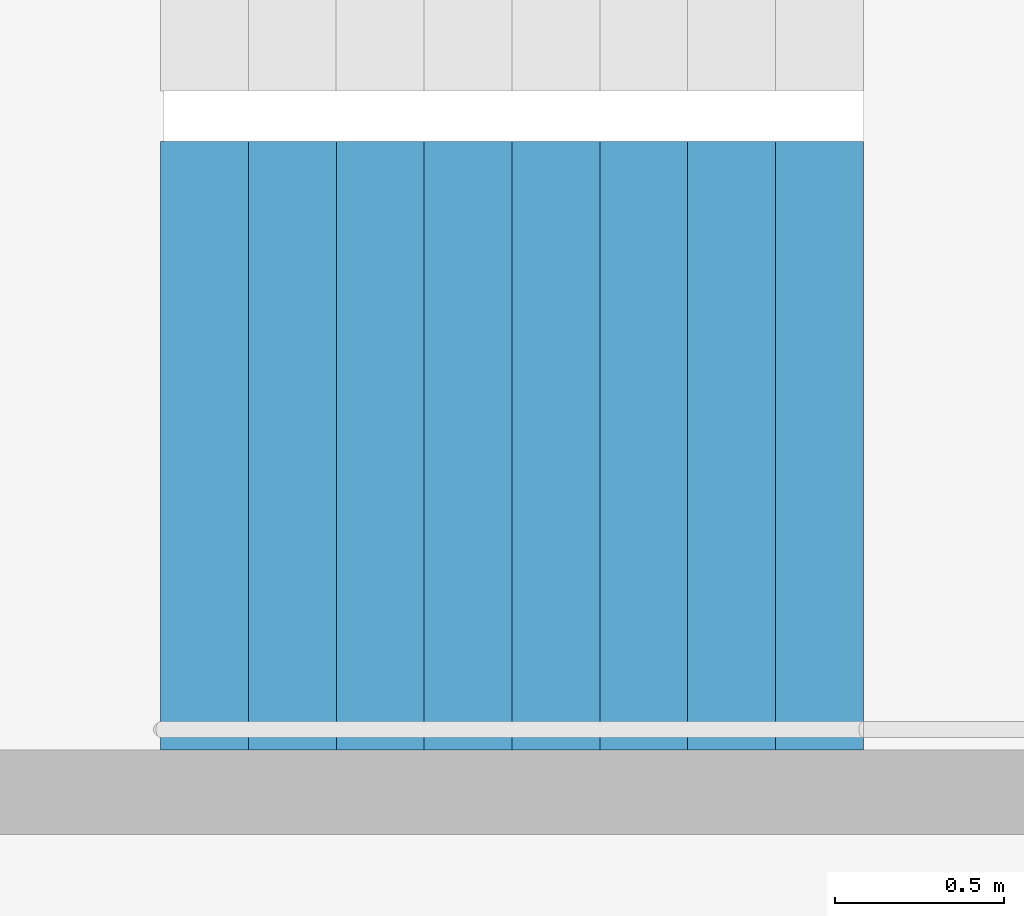
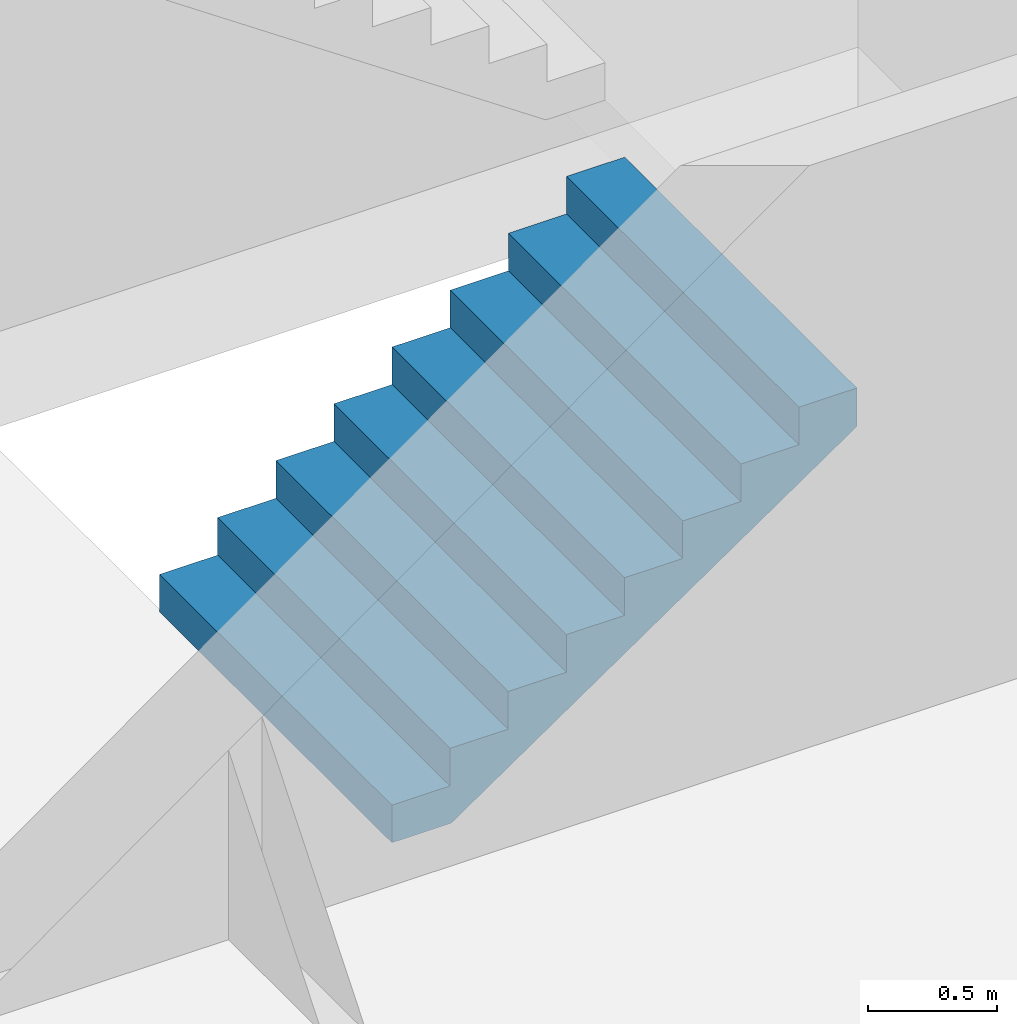
# One storey, part 20 of 26: 1 stair flight, 1 element without a shape of its own.
"""IFC4 building model written with IfcOpenShell, lengths in metres."""

from ifc_helpers import new_model, si_unit, direction, frame, origin, place, context, subcontext, project, spatial, triangles, material, type_object, element, aggregate, save


model = new_model("IFC4")

# Units and contexts
model_context = context("Model", 3, precision=1e-05, world=origin(), true_north=direction((0.0, 1.0)))
body_context = subcontext(model_context, "Body", "Model", "MODEL_VIEW")
ifc_project = project(units=[si_unit("LENGTHUNIT", "METRE"), si_unit("AREAUNIT", "SQUARE_METRE"), si_unit("VOLUMEUNIT", "CUBIC_METRE"), si_unit("PLANEANGLEUNIT", "RADIAN"), si_unit("MASSUNIT", "GRAM", prefix="KILO")], contexts=[model_context])

# Site, building, storey
site_placement = place(None, origin())
site = spatial("IfcSite", under=ifc_project, at=site_placement, CompositionType="ELEMENT")
building_placement = place(site_placement, origin())
building = spatial("IfcBuilding", under=site, at=building_placement, Name="Hakoniwa Tower and Hamabe Station Hall", CompositionType="ELEMENT")
storey_placement = place(building_placement, frame((0.0, 0.0, 209.0)))
storey = spatial("IfcBuildingStorey", under=building, at=storey_placement, Name="L59", CompositionType="ELEMENT", Elevation=209.0)

# Stair, stair flight
ifc_material_1 = material(Name="Concrete C40", Category="concrete")
stair_type = type_object("IfcStairType", Name="ESCAPE STAIR 1800", PredefinedType="HALF_TURN_STAIR", material=ifc_material_1)
stair_placement = place(storey_placement, origin())
stair = element("IfcStair", 1, at=stair_placement, inside=storey, type_object=stair_type, Name="Escape stair ST-1 L59", PredefinedType="HALF_TURN_STAIR")
ifc_material_2 = material(Name="Concrete C40", Category="concrete")
stair_flight_type = type_object("IfcStairFlightType", Name="STAIR FLIGHT 1800", PredefinedType="STRAIGHT", material=ifc_material_2)
stair_flight_placement = place(storey_placement, frame((-24.39990234375, 4.64990234375, 0.0), z_axis=(0.0, 0.0, 1.0), x_axis=(1.0, 0.0, 0.0)))
stair_flight = element("IfcStairFlight", 2, at=stair_flight_placement, type_object=stair_flight_type, Name="ST-1 flight 1", NumberOfRisers=9, NumberOfTreads=8, PredefinedType="STRAIGHT", RiserHeight=0.177777778, TreadLength=0.26, context=body_context, shape_type="Tessellation", body=[
    triangles([(0.0, 0.89990234375, 0.0), (0.260009765625, 0.89990234375, 0.0), (0.265625, 0.89990234375, 0.0), (0.52001953125, 0.89990234375, 0.174072265625), (0.780029296875, 0.89990234375, 0.351806640625), (1.0400390625, 0.89990234375, 0.529541015625), (1.300048828125, 0.89990234375, 0.707275390625), (1.56005859375, 0.89990234375, 0.885009765625), (1.820068359375, 0.89990234375, 1.062744140625), (2.080078125, 0.89990234375, 1.24072265625), (2.080078125, 0.89990234375, 1.422119140625), (1.820068359375, 0.89990234375, 1.422119140625), (1.820068359375, 0.89990234375, 1.244384765625), (1.56005859375, 0.89990234375, 1.244384765625), (1.56005859375, 0.89990234375, 1.066650390625), (1.300048828125, 0.89990234375, 1.066650390625), (1.300048828125, 0.89990234375, 0.888916015625), (1.0400390625, 0.89990234375, 0.888916015625), (1.0400390625, 0.89990234375, 0.711181640625), (0.780029296875, 0.89990234375, 0.711181640625), (0.780029296875, 0.89990234375, 0.533447265625), (0.52001953125, 0.89990234375, 0.533447265625), (0.52001953125, 0.89990234375, 0.35546875), (0.265625, 0.89990234375, 0.35546875), (0.260009765625, 0.89990234375, 0.35546875), (0.260009765625, 0.89990234375, 0.177734375), (0.0, 0.89990234375, 0.177734375), (0.0, 0.06005859375, 0.0), (0.260009765625, 0.06005859375, 0.0), (0.265625, 0.06005859375, 0.0), (0.52001953125, 0.06005859375, 0.174072265625), (0.780029296875, 0.06005859375, 0.351806640625), (1.0400390625, 0.06005859375, 0.529541015625), (1.300048828125, 0.06005859375, 0.707275390625), (1.56005859375, 0.06005859375, 0.885009765625), (1.820068359375, 0.06005859375, 1.062744140625), (2.080078125, 0.06005859375, 1.24072265625), (2.080078125, 0.06005859375, 1.422119140625), (1.820068359375, 0.06005859375, 1.422119140625), (1.820068359375, 0.06005859375, 1.244384765625), (1.56005859375, 0.06005859375, 1.244384765625), (1.56005859375, 0.06005859375, 1.066650390625), (1.300048828125, 0.06005859375, 1.066650390625), (1.300048828125, 0.06005859375, 0.888916015625), (1.0400390625, 0.06005859375, 0.888916015625), (1.0400390625, 0.06005859375, 0.711181640625), (0.780029296875, 0.06005859375, 0.711181640625), (0.780029296875, 0.06005859375, 0.533447265625), (0.52001953125, 0.06005859375, 0.533447265625), (0.52001953125, 0.06005859375, 0.35546875), (0.265625, 0.06005859375, 0.35546875), (0.260009765625, 0.06005859375, 0.35546875), (0.260009765625, 0.06005859375, 0.177734375), (0.0, 0.06005859375, 0.177734375), (0.0, 0.04296875, 0.0), (0.260009765625, 0.04296875, 0.0), (0.265625, 0.04296875, 0.0), (0.52001953125, 0.04296875, 0.174072265625), (0.780029296875, 0.04296875, 0.351806640625), (1.0400390625, 0.04296875, 0.529541015625), (1.300048828125, 0.04296875, 0.707275390625), (1.56005859375, 0.04296875, 0.885009765625), (1.820068359375, 0.04296875, 1.062744140625), (2.080078125, 0.04296875, 1.24072265625), (2.080078125, 0.04296875, 1.422119140625), (1.820068359375, 0.04296875, 1.422119140625), (1.820068359375, 0.04296875, 1.244384765625), (1.56005859375, 0.04296875, 1.244384765625), (1.56005859375, 0.04296875, 1.066650390625), (1.300048828125, 0.04296875, 1.066650390625), (1.300048828125, 0.04296875, 0.888916015625), (1.0400390625, 0.04296875, 0.888916015625), (1.0400390625, 0.04296875, 0.711181640625), (0.780029296875, 0.04296875, 0.711181640625), (0.780029296875, 0.04296875, 0.533447265625), (0.52001953125, 0.04296875, 0.533447265625), (0.52001953125, 0.04296875, 0.35546875), (0.265625, 0.04296875, 0.35546875), (0.260009765625, 0.04296875, 0.35546875), (0.260009765625, 0.04296875, 0.177734375), (0.0, 0.04296875, 0.177734375), (0.0, 0.025634765625, 0.0), (0.260009765625, 0.025634765625, 0.0), (0.265625, 0.025634765625, 0.0), (0.52001953125, 0.025634765625, 0.174072265625), (0.780029296875, 0.025634765625, 0.351806640625), (1.0400390625, 0.025634765625, 0.529541015625), (1.300048828125, 0.025634765625, 0.707275390625), (1.56005859375, 0.025634765625, 0.885009765625), (1.820068359375, 0.025634765625, 1.062744140625), (2.080078125, 0.025634765625, 1.24072265625), (2.080078125, 0.025634765625, 1.422119140625), (1.820068359375, 0.025634765625, 1.422119140625), (1.820068359375, 0.025634765625, 1.244384765625), (1.56005859375, 0.025634765625, 1.244384765625), (1.56005859375, 0.025634765625, 1.066650390625), (1.300048828125, 0.025634765625, 1.066650390625), (1.300048828125, 0.025634765625, 0.888916015625), (1.0400390625, 0.025634765625, 0.888916015625), (1.0400390625, 0.025634765625, 0.711181640625), (0.780029296875, 0.025634765625, 0.711181640625), (0.780029296875, 0.025634765625, 0.533447265625), (0.52001953125, 0.025634765625, 0.533447265625), (0.52001953125, 0.025634765625, 0.35546875), (0.265625, 0.025634765625, 0.35546875), (0.260009765625, 0.025634765625, 0.35546875), (0.260009765625, 0.025634765625, 0.177734375), (0.0, 0.025634765625, 0.177734375), (0.0, 0.008544921875, 0.0), (0.260009765625, 0.008544921875, 0.0), (0.265625, 0.008544921875, 0.0), (0.52001953125, 0.008544921875, 0.174072265625), (0.780029296875, 0.008544921875, 0.351806640625), (1.0400390625, 0.008544921875, 0.529541015625), (1.300048828125, 0.008544921875, 0.707275390625), (1.56005859375, 0.008544921875, 0.885009765625), (1.820068359375, 0.008544921875, 1.062744140625), (2.080078125, 0.008544921875, 1.24072265625), (2.080078125, 0.008544921875, 1.422119140625), (1.820068359375, 0.008544921875, 1.422119140625), (1.820068359375, 0.008544921875, 1.244384765625), (1.56005859375, 0.008544921875, 1.244384765625), (1.56005859375, 0.008544921875, 1.066650390625), (1.300048828125, 0.008544921875, 1.066650390625), (1.300048828125, 0.008544921875, 0.888916015625), (1.0400390625, 0.008544921875, 0.888916015625), (1.0400390625, 0.008544921875, 0.711181640625), (0.780029296875, 0.008544921875, 0.711181640625), (0.780029296875, 0.008544921875, 0.533447265625), (0.52001953125, 0.008544921875, 0.533447265625), (0.52001953125, 0.008544921875, 0.35546875), (0.265625, 0.008544921875, 0.35546875), (0.260009765625, 0.008544921875, 0.35546875), (0.260009765625, 0.008544921875, 0.177734375), (0.0, 0.008544921875, 0.177734375), (0.0, -0.008544921875, 0.0), (0.260009765625, -0.008544921875, 0.0), (0.265625, -0.008544921875, 0.0), (0.52001953125, -0.008544921875, 0.174072265625), (0.780029296875, -0.008544921875, 0.351806640625), (1.0400390625, -0.008544921875, 0.529541015625), (1.300048828125, -0.008544921875, 0.707275390625), (1.56005859375, -0.008544921875, 0.885009765625), (1.820068359375, -0.008544921875, 1.062744140625), (2.080078125, -0.008544921875, 1.24072265625), (2.080078125, -0.008544921875, 1.422119140625), (1.820068359375, -0.008544921875, 1.422119140625), (1.820068359375, -0.008544921875, 1.244384765625), (1.56005859375, -0.008544921875, 1.244384765625), (1.56005859375, -0.008544921875, 1.066650390625), (1.300048828125, -0.008544921875, 1.066650390625), (1.300048828125, -0.008544921875, 0.888916015625), (1.0400390625, -0.008544921875, 0.888916015625), (1.0400390625, -0.008544921875, 0.711181640625), (0.780029296875, -0.008544921875, 0.711181640625), (0.780029296875, -0.008544921875, 0.533447265625), (0.52001953125, -0.008544921875, 0.533447265625), (0.52001953125, -0.008544921875, 0.35546875), (0.265625, -0.008544921875, 0.35546875), (0.260009765625, -0.008544921875, 0.35546875), (0.260009765625, -0.008544921875, 0.177734375), (0.0, -0.008544921875, 0.177734375), (0.0, -0.025634765625, 0.0), (0.260009765625, -0.025634765625, 0.0), (0.265625, -0.025634765625, 0.0), (0.52001953125, -0.025634765625, 0.174072265625), (0.780029296875, -0.025634765625, 0.351806640625), (1.0400390625, -0.025634765625, 0.529541015625), (1.300048828125, -0.025634765625, 0.707275390625), (1.56005859375, -0.025634765625, 0.885009765625), (1.820068359375, -0.025634765625, 1.062744140625), (2.080078125, -0.025634765625, 1.24072265625), (2.080078125, -0.025634765625, 1.422119140625), (1.820068359375, -0.025634765625, 1.422119140625), (1.820068359375, -0.025634765625, 1.244384765625), (1.56005859375, -0.025634765625, 1.244384765625), (1.56005859375, -0.025634765625, 1.066650390625), (1.300048828125, -0.025634765625, 1.066650390625), (1.300048828125, -0.025634765625, 0.888916015625), (1.0400390625, -0.025634765625, 0.888916015625), (1.0400390625, -0.025634765625, 0.711181640625), (0.780029296875, -0.025634765625, 0.711181640625), (0.780029296875, -0.025634765625, 0.533447265625), (0.52001953125, -0.025634765625, 0.533447265625), (0.52001953125, -0.025634765625, 0.35546875), (0.265625, -0.025634765625, 0.35546875), (0.260009765625, -0.025634765625, 0.35546875), (0.260009765625, -0.025634765625, 0.177734375), (0.0, -0.025634765625, 0.177734375), (0.0, -0.04296875, 0.0), (0.260009765625, -0.04296875, 0.0), (0.265625, -0.04296875, 0.0), (0.52001953125, -0.04296875, 0.174072265625), (0.780029296875, -0.04296875, 0.351806640625), (1.0400390625, -0.04296875, 0.529541015625), (1.300048828125, -0.04296875, 0.707275390625), (1.56005859375, -0.04296875, 0.885009765625), (1.820068359375, -0.04296875, 1.062744140625), (2.080078125, -0.04296875, 1.24072265625), (2.080078125, -0.04296875, 1.422119140625), (1.820068359375, -0.04296875, 1.422119140625), (1.820068359375, -0.04296875, 1.244384765625), (1.56005859375, -0.04296875, 1.244384765625), (1.56005859375, -0.04296875, 1.066650390625), (1.300048828125, -0.04296875, 1.066650390625), (1.300048828125, -0.04296875, 0.888916015625), (1.0400390625, -0.04296875, 0.888916015625), (1.0400390625, -0.04296875, 0.711181640625), (0.780029296875, -0.04296875, 0.711181640625), (0.780029296875, -0.04296875, 0.533447265625), (0.52001953125, -0.04296875, 0.533447265625), (0.52001953125, -0.04296875, 0.35546875), (0.265625, -0.04296875, 0.35546875), (0.260009765625, -0.04296875, 0.35546875), (0.260009765625, -0.04296875, 0.177734375), (0.0, -0.04296875, 0.177734375), (0.0, -0.06005859375, 0.0), (0.260009765625, -0.06005859375, 0.0), (0.265625, -0.06005859375, 0.0), (0.52001953125, -0.06005859375, 0.174072265625), (0.780029296875, -0.06005859375, 0.351806640625), (1.0400390625, -0.06005859375, 0.529541015625), (1.300048828125, -0.06005859375, 0.707275390625), (1.56005859375, -0.06005859375, 0.885009765625), (1.820068359375, -0.06005859375, 1.062744140625), (2.080078125, -0.06005859375, 1.24072265625), (2.080078125, -0.06005859375, 1.422119140625), (1.820068359375, -0.06005859375, 1.422119140625), (1.820068359375, -0.06005859375, 1.244384765625), (1.56005859375, -0.06005859375, 1.244384765625), (1.56005859375, -0.06005859375, 1.066650390625), (1.300048828125, -0.06005859375, 1.066650390625), (1.300048828125, -0.06005859375, 0.888916015625), (1.0400390625, -0.06005859375, 0.888916015625), (1.0400390625, -0.06005859375, 0.711181640625), (0.780029296875, -0.06005859375, 0.711181640625), (0.780029296875, -0.06005859375, 0.533447265625), (0.52001953125, -0.06005859375, 0.533447265625), (0.52001953125, -0.06005859375, 0.35546875), (0.265625, -0.06005859375, 0.35546875), (0.260009765625, -0.06005859375, 0.35546875), (0.260009765625, -0.06005859375, 0.177734375), (0.0, -0.06005859375, 0.177734375), (0.0, -0.89990234375, 0.0), (0.260009765625, -0.89990234375, 0.0), (0.265625, -0.89990234375, 0.0), (0.52001953125, -0.89990234375, 0.174072265625), (0.780029296875, -0.89990234375, 0.351806640625), (1.0400390625, -0.89990234375, 0.529541015625), (1.300048828125, -0.89990234375, 0.707275390625), (1.56005859375, -0.89990234375, 0.885009765625), (1.820068359375, -0.89990234375, 1.062744140625), (2.080078125, -0.89990234375, 1.24072265625), (2.080078125, -0.89990234375, 1.422119140625), (1.820068359375, -0.89990234375, 1.422119140625), (1.820068359375, -0.89990234375, 1.244384765625), (1.56005859375, -0.89990234375, 1.244384765625), (1.56005859375, -0.89990234375, 1.066650390625), (1.300048828125, -0.89990234375, 1.066650390625), (1.300048828125, -0.89990234375, 0.888916015625), (1.0400390625, -0.89990234375, 0.888916015625), (1.0400390625, -0.89990234375, 0.711181640625), (0.780029296875, -0.89990234375, 0.711181640625), (0.780029296875, -0.89990234375, 0.533447265625), (0.52001953125, -0.89990234375, 0.533447265625), (0.52001953125, -0.89990234375, 0.35546875), (0.265625, -0.89990234375, 0.35546875), (0.260009765625, -0.89990234375, 0.35546875), (0.260009765625, -0.89990234375, 0.177734375), (0.0, -0.89990234375, 0.177734375)], [[2, 27, 26], [245, 269, 270], [2, 1, 27], [245, 270, 244], [3, 25, 24], [246, 267, 268], [3, 26, 25], [246, 268, 269], [3, 2, 26], [246, 269, 245], [4, 24, 23], [247, 266, 267], [4, 3, 24], [247, 267, 246], [5, 22, 21], [248, 264, 265], [5, 23, 22], [248, 265, 266], [5, 4, 23], [248, 266, 247], [6, 20, 19], [249, 262, 263], [6, 21, 20], [249, 263, 264], [6, 5, 21], [249, 264, 248], [7, 18, 17], [250, 260, 261], [7, 19, 18], [250, 261, 262], [7, 6, 19], [250, 262, 249], [8, 16, 15], [251, 258, 259], [8, 17, 16], [251, 259, 260], [8, 7, 17], [251, 260, 250], [9, 14, 13], [252, 256, 257], [9, 15, 14], [252, 257, 258], [9, 8, 15], [252, 258, 251], [10, 12, 11], [253, 254, 255], [10, 13, 12], [253, 255, 256], [10, 9, 13], [253, 256, 252], [1, 2, 29], [1, 29, 28], [28, 29, 56], [28, 56, 55], [55, 56, 83], [55, 83, 82], [82, 83, 110], [82, 110, 109], [109, 110, 137], [109, 137, 136], [136, 137, 164], [136, 164, 163], [163, 164, 191], [163, 191, 190], [190, 191, 218], [190, 218, 217], [217, 218, 245], [217, 245, 244], [2, 3, 30], [2, 30, 29], [29, 30, 57], [29, 57, 56], [56, 57, 84], [56, 84, 83], [83, 84, 111], [83, 111, 110], [110, 111, 138], [110, 138, 137], [137, 138, 165], [137, 165, 164], [164, 165, 192], [164, 192, 191], [191, 192, 219], [191, 219, 218], [218, 219, 246], [218, 246, 245], [3, 4, 31], [3, 31, 30], [30, 31, 58], [30, 58, 57], [57, 58, 85], [57, 85, 84], [84, 85, 112], [84, 112, 111], [111, 112, 139], [111, 139, 138], [138, 139, 166], [138, 166, 165], [165, 166, 193], [165, 193, 192], [192, 193, 220], [192, 220, 219], [219, 220, 247], [219, 247, 246], [4, 5, 32], [4, 32, 31], [31, 32, 59], [31, 59, 58], [58, 59, 86], [58, 86, 85], [85, 86, 113], [85, 113, 112], [112, 113, 140], [112, 140, 139], [139, 140, 167], [139, 167, 166], [166, 167, 194], [166, 194, 193], [193, 194, 221], [193, 221, 220], [220, 221, 248], [220, 248, 247], [5, 6, 33], [5, 33, 32], [32, 33, 60], [32, 60, 59], [59, 60, 87], [59, 87, 86], [86, 87, 114], [86, 114, 113], [113, 114, 141], [113, 141, 140], [140, 141, 168], [140, 168, 167], [167, 168, 195], [167, 195, 194], [194, 195, 222], [194, 222, 221], [221, 222, 249], [221, 249, 248], [6, 7, 34], [6, 34, 33], [33, 34, 61], [33, 61, 60], [60, 61, 88], [60, 88, 87], [87, 88, 115], [87, 115, 114], [114, 115, 142], [114, 142, 141], [141, 142, 169], [141, 169, 168], [168, 169, 196], [168, 196, 195], [195, 196, 223], [195, 223, 222], [222, 223, 250], [222, 250, 249], [7, 8, 35], [7, 35, 34], [34, 35, 62], [34, 62, 61], [61, 62, 89], [61, 89, 88], [88, 89, 116], [88, 116, 115], [115, 116, 143], [115, 143, 142], [142, 143, 170], [142, 170, 169], [169, 170, 197], [169, 197, 196], [196, 197, 224], [196, 224, 223], [223, 224, 251], [223, 251, 250], [8, 9, 36], [8, 36, 35], [35, 36, 63], [35, 63, 62], [62, 63, 90], [62, 90, 89], [89, 90, 117], [89, 117, 116], [116, 117, 144], [116, 144, 143], [143, 144, 171], [143, 171, 170], [170, 171, 198], [170, 198, 197], [197, 198, 225], [197, 225, 224], [224, 225, 252], [224, 252, 251], [9, 10, 37], [9, 37, 36], [36, 37, 64], [36, 64, 63], [63, 64, 91], [63, 91, 90], [90, 91, 118], [90, 118, 117], [117, 118, 145], [117, 145, 144], [144, 145, 172], [144, 172, 171], [171, 172, 199], [171, 199, 198], [198, 199, 226], [198, 226, 225], [225, 226, 253], [225, 253, 252], [10, 11, 38], [10, 38, 37], [37, 38, 65], [37, 65, 64], [64, 65, 92], [64, 92, 91], [91, 92, 119], [91, 119, 118], [118, 119, 146], [118, 146, 145], [145, 146, 173], [145, 173, 172], [172, 173, 200], [172, 200, 199], [199, 200, 227], [199, 227, 226], [226, 227, 254], [226, 254, 253], [11, 12, 39], [11, 39, 38], [38, 39, 66], [38, 66, 65], [65, 66, 93], [65, 93, 92], [92, 93, 120], [92, 120, 119], [119, 120, 147], [119, 147, 146], [146, 147, 174], [146, 174, 173], [173, 174, 201], [173, 201, 200], [200, 201, 228], [200, 228, 227], [227, 228, 255], [227, 255, 254], [12, 13, 40], [12, 40, 39], [39, 40, 67], [39, 67, 66], [66, 67, 94], [66, 94, 93], [93, 94, 121], [93, 121, 120], [120, 121, 148], [120, 148, 147], [147, 148, 175], [147, 175, 174], [174, 175, 202], [174, 202, 201], [201, 202, 229], [201, 229, 228], [228, 229, 256], [228, 256, 255], [13, 14, 41], [13, 41, 40], [40, 41, 68], [40, 68, 67], [67, 68, 95], [67, 95, 94], [94, 95, 122], [94, 122, 121], [121, 122, 149], [121, 149, 148], [148, 149, 176], [148, 176, 175], [175, 176, 203], [175, 203, 202], [202, 203, 230], [202, 230, 229], [229, 230, 257], [229, 257, 256], [14, 15, 42], [14, 42, 41], [41, 42, 69], [41, 69, 68], [68, 69, 96], [68, 96, 95], [95, 96, 123], [95, 123, 122], [122, 123, 150], [122, 150, 149], [149, 150, 177], [149, 177, 176], [176, 177, 204], [176, 204, 203], [203, 204, 231], [203, 231, 230], [230, 231, 258], [230, 258, 257], [15, 16, 43], [15, 43, 42], [42, 43, 70], [42, 70, 69], [69, 70, 97], [69, 97, 96], [96, 97, 124], [96, 124, 123], [123, 124, 151], [123, 151, 150], [150, 151, 178], [150, 178, 177], [177, 178, 205], [177, 205, 204], [204, 205, 232], [204, 232, 231], [231, 232, 259], [231, 259, 258], [16, 17, 44], [16, 44, 43], [43, 44, 71], [43, 71, 70], [70, 71, 98], [70, 98, 97], [97, 98, 125], [97, 125, 124], [124, 125, 152], [124, 152, 151], [151, 152, 179], [151, 179, 178], [178, 179, 206], [178, 206, 205], [205, 206, 233], [205, 233, 232], [232, 233, 260], [232, 260, 259], [17, 18, 45], [17, 45, 44], [44, 45, 72], [44, 72, 71], [71, 72, 99], [71, 99, 98], [98, 99, 126], [98, 126, 125], [125, 126, 153], [125, 153, 152], [152, 153, 180], [152, 180, 179], [179, 180, 207], [179, 207, 206], [206, 207, 234], [206, 234, 233], [233, 234, 261], [233, 261, 260], [18, 19, 46], [18, 46, 45], [45, 46, 73], [45, 73, 72], [72, 73, 100], [72, 100, 99], [99, 100, 127], [99, 127, 126], [126, 127, 154], [126, 154, 153], [153, 154, 181], [153, 181, 180], [180, 181, 208], [180, 208, 207], [207, 208, 235], [207, 235, 234], [234, 235, 262], [234, 262, 261], [19, 20, 47], [19, 47, 46], [46, 47, 74], [46, 74, 73], [73, 74, 101], [73, 101, 100], [100, 101, 128], [100, 128, 127], [127, 128, 155], [127, 155, 154], [154, 155, 182], [154, 182, 181], [181, 182, 209], [181, 209, 208], [208, 209, 236], [208, 236, 235], [235, 236, 263], [235, 263, 262], [20, 21, 48], [20, 48, 47], [47, 48, 75], [47, 75, 74], [74, 75, 102], [74, 102, 101], [101, 102, 129], [101, 129, 128], [128, 129, 156], [128, 156, 155], [155, 156, 183], [155, 183, 182], [182, 183, 210], [182, 210, 209], [209, 210, 237], [209, 237, 236], [236, 237, 264], [236, 264, 263], [21, 22, 49], [21, 49, 48], [48, 49, 76], [48, 76, 75], [75, 76, 103], [75, 103, 102], [102, 103, 130], [102, 130, 129], [129, 130, 157], [129, 157, 156], [156, 157, 184], [156, 184, 183], [183, 184, 211], [183, 211, 210], [210, 211, 238], [210, 238, 237], [237, 238, 265], [237, 265, 264], [22, 23, 50], [22, 50, 49], [49, 50, 77], [49, 77, 76], [76, 77, 104], [76, 104, 103], [103, 104, 131], [103, 131, 130], [130, 131, 158], [130, 158, 157], [157, 158, 185], [157, 185, 184], [184, 185, 212], [184, 212, 211], [211, 212, 239], [211, 239, 238], [238, 239, 266], [238, 266, 265], [23, 24, 51], [23, 51, 50], [50, 51, 78], [50, 78, 77], [77, 78, 105], [77, 105, 104], [104, 105, 132], [104, 132, 131], [131, 132, 159], [131, 159, 158], [158, 159, 186], [158, 186, 185], [185, 186, 213], [185, 213, 212], [212, 213, 240], [212, 240, 239], [239, 240, 267], [239, 267, 266], [24, 25, 52], [24, 52, 51], [51, 52, 79], [51, 79, 78], [78, 79, 106], [78, 106, 105], [105, 106, 133], [105, 133, 132], [132, 133, 160], [132, 160, 159], [159, 160, 187], [159, 187, 186], [186, 187, 214], [186, 214, 213], [213, 214, 241], [213, 241, 240], [240, 241, 268], [240, 268, 267], [25, 26, 53], [25, 53, 52], [52, 53, 80], [52, 80, 79], [79, 80, 107], [79, 107, 106], [106, 107, 134], [106, 134, 133], [133, 134, 161], [133, 161, 160], [160, 161, 188], [160, 188, 187], [187, 188, 215], [187, 215, 214], [214, 215, 242], [214, 242, 241], [241, 242, 269], [241, 269, 268], [26, 27, 54], [26, 54, 53], [53, 54, 81], [53, 81, 80], [80, 81, 108], [80, 108, 107], [107, 108, 135], [107, 135, 134], [134, 135, 162], [134, 162, 161], [161, 162, 189], [161, 189, 188], [188, 189, 216], [188, 216, 215], [215, 216, 243], [215, 243, 242], [242, 243, 270], [242, 270, 269], [27, 1, 28], [27, 28, 54], [54, 28, 55], [54, 55, 81], [81, 55, 82], [81, 82, 108], [108, 82, 109], [108, 109, 135], [135, 109, 136], [135, 136, 162], [162, 136, 163], [162, 163, 189], [189, 163, 190], [189, 190, 216], [216, 190, 217], [216, 217, 243], [243, 217, 244], [243, 244, 270]], closed=True),
])
aggregate(stair, [stair_flight])

save(model, "model.ifc")
